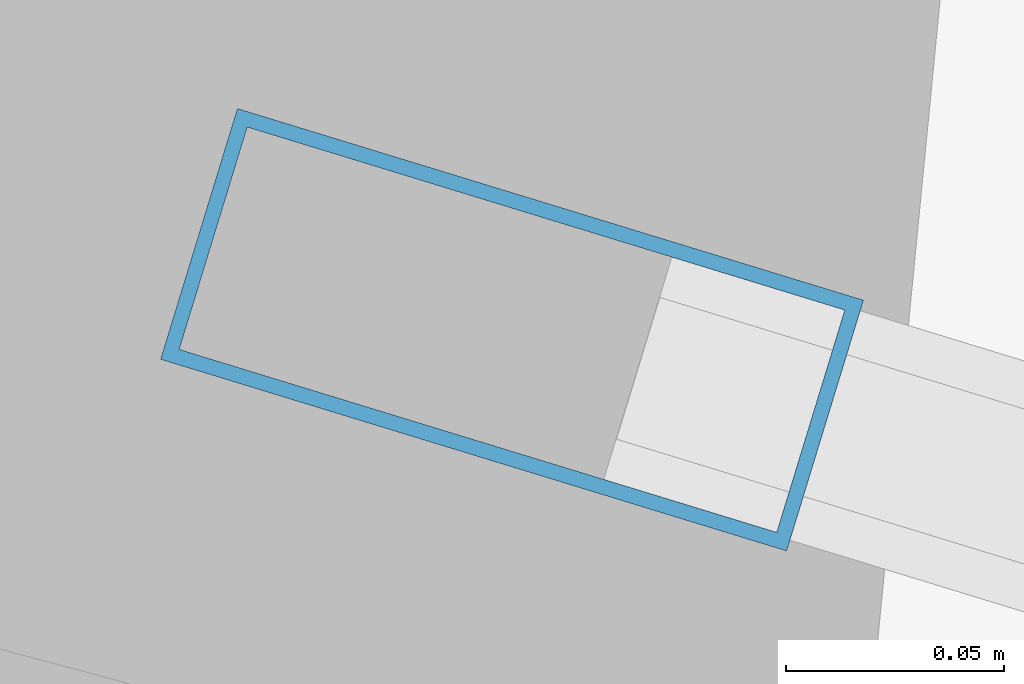
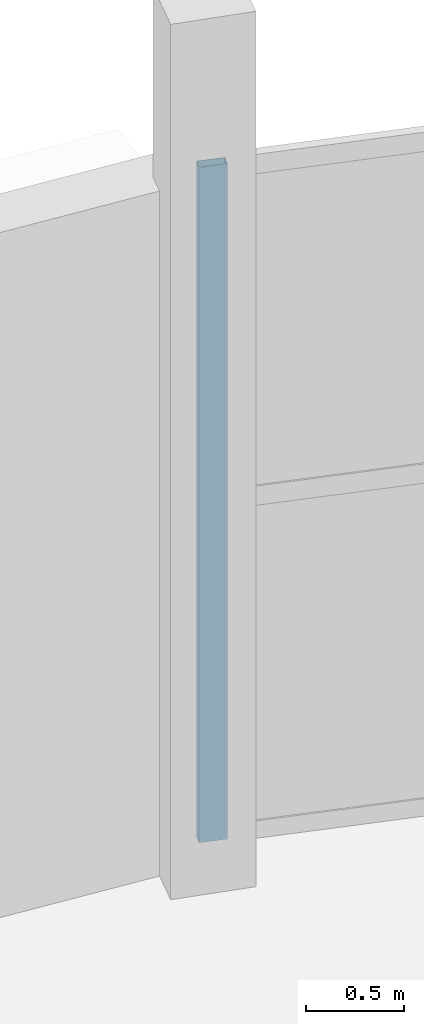
# One storey, part 54 of 123: 1 member, 1 element without a shape of its own.
"""IFC4 building model written with IfcOpenShell, lengths in metres."""

from ifc_helpers import new_model, si_unit, direction, frame, origin, origin_2d, place, context, subcontext, project, spatial, hollow_rectangle, extrude, material, layer, layer_set, material_profile, profile_set, type_object, element, aggregate, save


model = new_model("IFC4")

# Units and contexts
model_context = context("Model", 3, precision=1e-05, world=origin(), true_north=direction((0.0, 1.0)))
body_context = subcontext(model_context, "Body", "Model", "MODEL_VIEW")
ifc_project = project(units=[si_unit("LENGTHUNIT", "METRE"), si_unit("AREAUNIT", "SQUARE_METRE"), si_unit("VOLUMEUNIT", "CUBIC_METRE"), si_unit("PLANEANGLEUNIT", "RADIAN"), si_unit("MASSUNIT", "GRAM", prefix="KILO")], contexts=[model_context])

# Site, building, storey
site_placement = place(None, origin())
site = spatial("IfcSite", under=ifc_project, at=site_placement, CompositionType="ELEMENT")
building_placement = place(site_placement, origin())
building = spatial("IfcBuilding", under=site, at=building_placement, Name="Kalgoora Escarpment Arena", CompositionType="ELEMENT")
storey_placement = place(building_placement, frame((0.0, 0.0, 9.89990234375)))
storey = spatial("IfcBuildingStorey", under=building, at=storey_placement, Name="L02", CompositionType="ELEMENT", Elevation=9.89990234375)

# Curtain wall, member
ifc_material_1 = material(Name=" Champagne anodised aluminium & double-glazed low-E", Category="aluminium")
ifc_layer = layer(ifc_material_1, 0.14990234375)
ifc_layer_set = layer_set([ifc_layer], Name="CW-UNIT-20")
curtain_wall_type = type_object("IfcCurtainWallType", Name="CW-UNIT-20", PredefinedType="NOTDEFINED", material=ifc_layer_set)
curtain_wall_placement = place(storey_placement, origin())
curtain_wall = element("IfcCurtainWall", 1, at=curtain_wall_placement, inside=storey, type_object=curtain_wall_type, Name="L02 unitised facade curtain wall 079", PredefinedType="NOTDEFINED")
ifc_material_2 = material(Name="Anodised aluminium 6063-T6", Category="aluminium")
ifc_material_profile = material_profile(ifc_material_2, hollow_rectangle(XDim=0.06005859375, YDim=0.14990234375, WallThickness=0.00341796875, at=origin_2d()))
ifc_profile_set = profile_set([ifc_material_profile], Name="Anodised aluminium 6063-T6")
member_type = type_object("IfcMemberType", Name="MEM-CW-MULL-150", PredefinedType="MULLION", material=ifc_profile_set)
member_placement = place(storey_placement, frame((113.90869140625, 122.965087890625, 0.02001953125), z_axis=(0.0, 0.0, 1.0), x_axis=(0.29274500326, 0.956190547467, 0.0)))
member = element("IfcMember", 2, at=member_placement, type_object=member_type, Name="CW-20 mullion 1", PredefinedType="MULLION", context=body_context, shape_type="SweptSolid", body=[
    extrude(hollow_rectangle(XDim=0.06005859375, YDim=0.14990234375, WallThickness=0.00341796875, at=origin_2d()), origin(), (0.0, 0.0, 1.0), 4.205078125),
])
aggregate(curtain_wall, [member])

save(model, "model.ifc")
